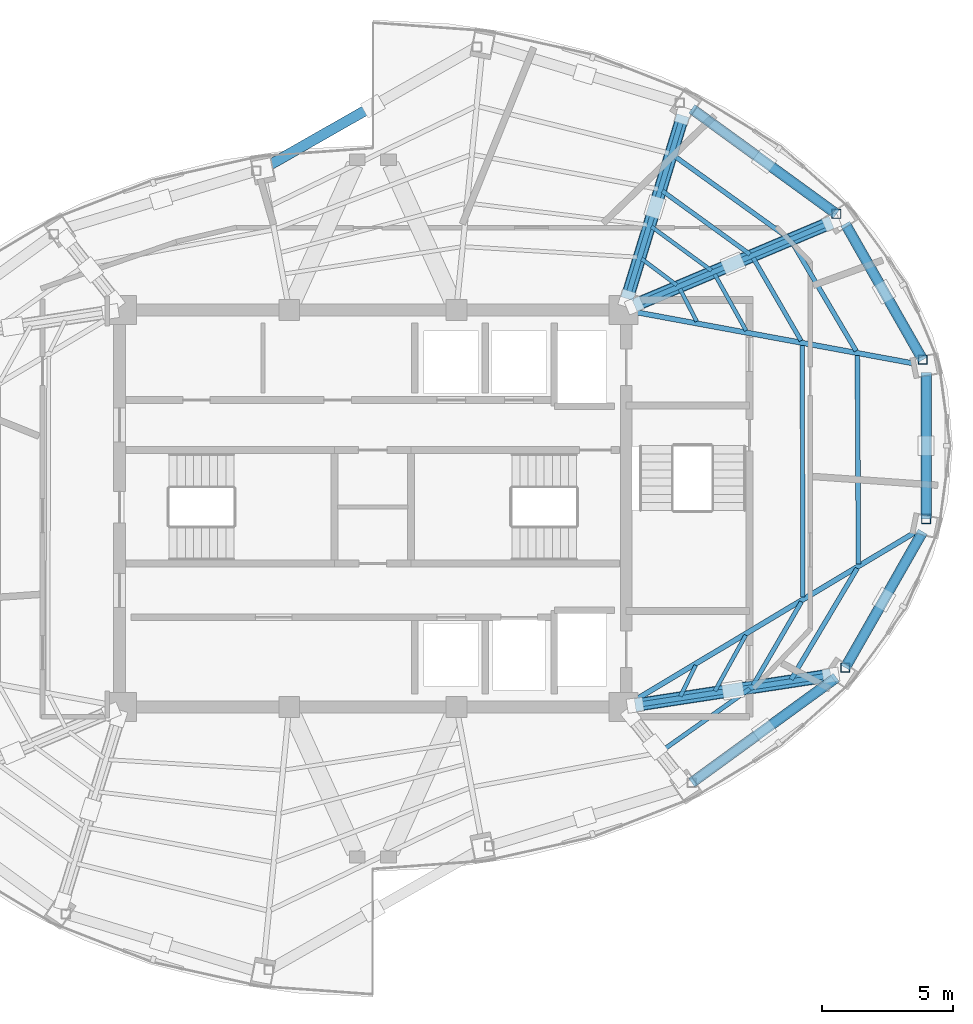
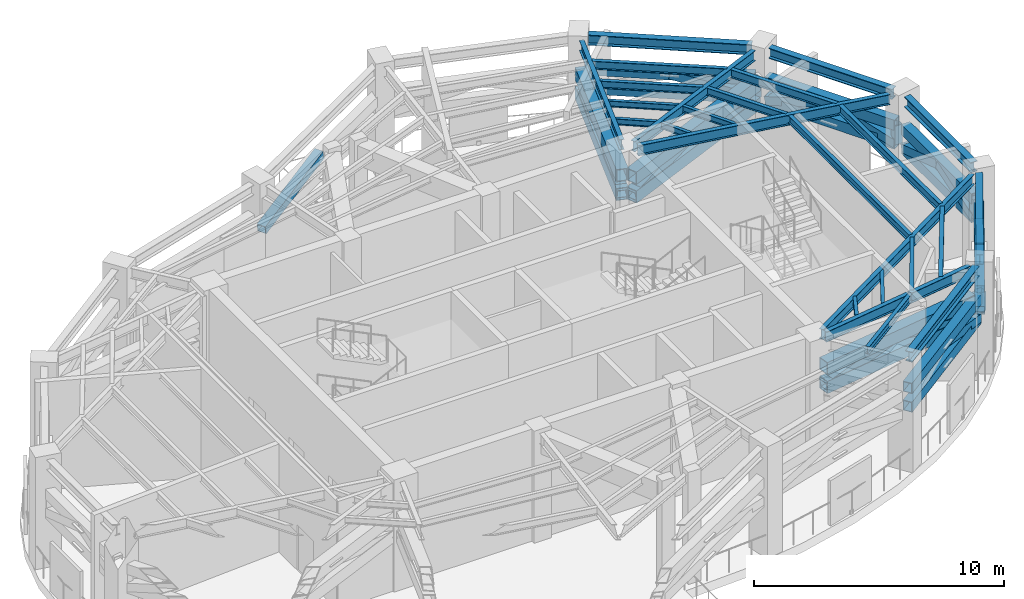
# One storey, part 4 of 12: 35 members, 25 beams.
"""IFC4 building model written with IfcOpenShell, lengths in metres."""

from ifc_helpers import new_model, si_unit, direction, frame, origin, origin_2d, place, context, subcontext, project, spatial, hollow_rectangle, i_section, extrude, material, material_profile, profile_set, type_object, element, save


model = new_model("IFC4")

# Units and contexts
model_context = context("Model", 3, precision=1e-05, world=origin(), true_north=direction((0.0, 1.0)))
body_context = subcontext(model_context, "Body", "Model", "MODEL_VIEW")
ifc_project = project(units=[si_unit("LENGTHUNIT", "METRE"), si_unit("AREAUNIT", "SQUARE_METRE"), si_unit("VOLUMEUNIT", "CUBIC_METRE"), si_unit("PLANEANGLEUNIT", "RADIAN"), si_unit("MASSUNIT", "GRAM", prefix="KILO")], contexts=[model_context])

# Site, building, storey
site_placement = place(None, origin())
site = spatial("IfcSite", under=ifc_project, at=site_placement, CompositionType="ELEMENT")
building_placement = place(site_placement, origin())
building = spatial("IfcBuilding", under=site, at=building_placement, Name="Lazwardi Medical Tower", CompositionType="ELEMENT")
storey_placement = place(building_placement, frame((0.0, 0.0, 245.904052734375)))
storey = spatial("IfcBuildingStorey", under=building, at=storey_placement, Name="L64", CompositionType="ELEMENT", Elevation=245.904052734375)

# Beams
ifc_material_1 = material(Name="Steel S355", Category="steel")
ifc_material_profile_1 = material_profile(ifc_material_1, i_section(OverallWidth=0.300048828125, OverallDepth=0.5, WebThickness=0.014404296875, FlangeThickness=0.028076171875, at=origin_2d()), Name="HEB 500")
ifc_profile_set_1 = profile_set([ifc_material_profile_1], Name="Steel S355")
beam_type_1 = type_object("IfcBeamType", Name="BM-RB-Z4", PredefinedType="BEAM", material=ifc_profile_set_1)
beam_1_placement = place(storey_placement, frame((48.31591796875, 17.5751953125, 5.02197265625), z_axis=(0.808889916254, 0.587960120571, 0.0), x_axis=(-0.587960120571, 0.808889916254, 0.0)))
element("IfcBeam", 1, at=beam_1_placement, inside=storey, type_object=beam_type_1, Name="Ring beam RB-05 B02 L64", PredefinedType="BEAM", context=body_context, shape_type="SweptSolid", body=[
    extrude(i_section(OverallWidth=0.300048828125, OverallDepth=0.5, WebThickness=0.014404296875, FlangeThickness=0.028076171875, at=origin_2d()), origin(), (0.0, 0.0, 1.0), 6.587158203125),
])
beam_2_placement = place(storey_placement, frame((54.15283203125, 22.016357421875, 5.02197265625), z_axis=(0.495125273299, 0.868821594886, 0.0), x_axis=(-0.868821594886, 0.495125273299, 0.0)))
element("IfcBeam", 2, at=beam_2_placement, inside=storey, type_object=beam_type_1, Name="Ring beam RB-05 B03 L64", PredefinedType="BEAM", context=body_context, shape_type="SweptSolid", body=[
    extrude(i_section(OverallWidth=0.300048828125, OverallDepth=0.5, WebThickness=0.014404296875, FlangeThickness=0.028076171875, at=origin_2d()), origin(), (0.0, 0.0, 1.0), 5.734130859375),
])
beam_3_placement = place(storey_placement, frame((57.18505859375, 27.72705078125, 5.02197265625), z_axis=(0.0, 1.0, 0.0), x_axis=(-1.0, 0.0, 0.0)))
element("IfcBeam", 3, at=beam_3_placement, inside=storey, type_object=beam_type_1, Name="Ring beam RB-05 B04 L64", PredefinedType="BEAM", context=body_context, shape_type="SweptSolid", body=[
    extrude(i_section(OverallWidth=0.300048828125, OverallDepth=0.5, WebThickness=0.014404296875, FlangeThickness=0.028076171875, at=origin_2d()), origin(), (0.0, 0.0, 1.0), 5.345947265625),
])
beam_4_placement = place(storey_placement, frame((56.991943359375, 33.8017578125, 5.02197265625), z_axis=(-0.495125273299, 0.868821594886, 0.0), x_axis=(-0.868821594886, -0.495125273299, 0.0)))
element("IfcBeam", 4, at=beam_4_placement, inside=storey, type_object=beam_type_1, Name="Ring beam RB-05 B05 L64", PredefinedType="BEAM", context=body_context, shape_type="SweptSolid", body=[
    extrude(i_section(OverallWidth=0.300048828125, OverallDepth=0.5, WebThickness=0.014404296875, FlangeThickness=0.028076171875, at=origin_2d()), origin(), (0.0, 0.0, 1.0), 5.734130859375),
])
beam_5_placement = place(storey_placement, frame((53.644287109375, 39.351806640625, 5.02197265625), z_axis=(-0.808889916254, 0.587960120571, 0.0), x_axis=(-0.587960120571, -0.808889916254, 0.0)))
element("IfcBeam", 5, at=beam_5_placement, inside=storey, type_object=beam_type_1, Name="Ring beam RB-05 B06 L64", PredefinedType="BEAM", context=body_context, shape_type="SweptSolid", body=[
    extrude(i_section(OverallWidth=0.300048828125, OverallDepth=0.5, WebThickness=0.014404296875, FlangeThickness=0.028076171875, at=origin_2d()), origin(), (0.0, 0.0, 1.0), 6.587158203125),
])
ifc_material_profile_2 = material_profile(ifc_material_1, i_section(OverallWidth=0.199951171875, OverallDepth=0.5, WebThickness=0.01025390625, FlangeThickness=0.01611328125, at=origin_2d()), Name="IPE 500")
ifc_profile_set_2 = profile_set([ifc_material_profile_2], Name="Steel S355")
beam_type_2 = type_object("IfcBeamType", Name="BM-RG-W3", PredefinedType="BEAM", material=ifc_profile_set_2)
beam_6_placement = place(storey_placement, frame((53.430908203125, 21.5966796875, 5.02197265625), z_axis=(-0.988522137285, -0.151076087115, 0.0), x_axis=(0.151076087115, -0.988522137285, 0.0)))
element("IfcBeam", 6, at=beam_6_placement, inside=storey, type_object=beam_type_2, Name="Radial girder RG-04 R03 L64", PredefinedType="BEAM", context=body_context, shape_type="SweptSolid", body=[
    extrude(i_section(OverallWidth=0.199951171875, OverallDepth=0.5, WebThickness=0.01025390625, FlangeThickness=0.01611328125, at=origin_2d()), origin(), (0.0, 0.0, 1.0), 7.38671875),
])
beam_7_placement = place(storey_placement, frame((56.72607421875, 27.062255859375, 5.02197265625), z_axis=(-0.857944804603, -0.513741873176, 0.0), x_axis=(0.513741873176, -0.857944804603, 0.0)))
element("IfcBeam", 7, at=beam_7_placement, inside=storey, type_object=beam_type_2, Name="Radial girder RG-04 R04 L64", PredefinedType="BEAM", context=body_context, shape_type="SweptSolid", body=[
    extrude(i_section(OverallWidth=0.199951171875, OverallDepth=0.5, WebThickness=0.01025390625, FlangeThickness=0.01611328125, at=origin_2d()), origin(), (0.0, 0.0, 1.0), 12.43310546875),
])
beam_8_placement = place(storey_placement, frame((56.658935546875, 33.56005859375, 5.02197265625), z_axis=(-0.983409341459, 0.181400295288, 0.0), x_axis=(-0.181400295288, -0.983409341459, 0.0)))
element("IfcBeam", 8, at=beam_8_placement, inside=storey, type_object=beam_type_2, Name="Radial girder RG-04 R05 L64", PredefinedType="BEAM", context=body_context, shape_type="SweptSolid", body=[
    extrude(i_section(OverallWidth=0.199951171875, OverallDepth=0.5, WebThickness=0.01025390625, FlangeThickness=0.01611328125, at=origin_2d()), origin(), (0.0, 0.0, 1.0), 10.71044921875),
])
beam_9_placement = place(storey_placement, frame((53.466796875, 38.914794921875, 5.02197265625), z_axis=(-0.921526791352, -0.388314785735, 0.0), x_axis=(0.388314785735, -0.921526791352, 0.0)))
element("IfcBeam", 9, at=beam_9_placement, inside=storey, type_object=beam_type_2, Name="Radial girder RG-04 R06 L64", PredefinedType="BEAM", context=body_context, shape_type="SweptSolid", body=[
    extrude(i_section(OverallWidth=0.199951171875, OverallDepth=0.5, WebThickness=0.01025390625, FlangeThickness=0.01611328125, at=origin_2d()), origin(), (0.0, 0.0, 1.0), 8.001708984375),
])
beam_10_placement = place(storey_placement, frame((47.843994140625, 42.9423828125, 5.02197265625), z_axis=(-0.292276716539, -0.956333791607, 0.0), x_axis=(0.956333791607, -0.292276716539, 0.0)))
element("IfcBeam", 10, at=beam_10_placement, inside=storey, type_object=beam_type_2, Name="Radial girder RG-04 R07 L64", PredefinedType="BEAM", context=body_context, shape_type="SweptSolid", body=[
    extrude(i_section(OverallWidth=0.199951171875, OverallDepth=0.5, WebThickness=0.01025390625, FlangeThickness=0.01611328125, at=origin_2d()), origin(), (0.0, 0.0, 1.0), 7.142822265625),
])
ifc_material_profile_3 = material_profile(ifc_material_1, i_section(OverallWidth=0.179931640625, OverallDepth=0.39990234375, WebThickness=0.008544921875, FlangeThickness=0.013427734375, at=origin_2d()), Name="IPE 400")
ifc_profile_set_3 = profile_set([ifc_material_profile_3], Name="Steel S355")
beam_type_3 = type_object("IfcBeamType", Name="BM-SJ-01", PredefinedType="JOIST", material=ifc_profile_set_3)
beam_11_placement = place(storey_placement, frame((52.01904296875, 21.455078125, 5.072021484375), z_axis=(0.510967866251, 0.859599813668, 0.0), x_axis=(-0.859599813668, 0.510967866251, 0.0)))
element("IfcBeam", 11, at=beam_11_placement, inside=storey, type_object=beam_type_3, Name="Secondary joist SJ-01 R1 B03 L64", PredefinedType="JOIST", context=body_context, shape_type="SweptSolid", body=[
    extrude(i_section(OverallWidth=0.179931640625, OverallDepth=0.39990234375, WebThickness=0.008544921875, FlangeThickness=0.013427734375, at=origin_2d()), origin(), (0.0, 0.0, 1.0), 4.94189453125),
])
beam_12_placement = place(storey_placement, frame((54.592041015625, 25.879638671875, 5.072021484375), z_axis=(-0.004929366644, 0.999987850598, 0.0), x_axis=(-0.999987850598, -0.004929366644, 0.0)))
element("IfcBeam", 12, at=beam_12_placement, inside=storey, type_object=beam_type_3, Name="Secondary joist SJ-01 R1 B04 L64", PredefinedType="JOIST", context=body_context, shape_type="SweptSolid", body=[
    extrude(i_section(OverallWidth=0.179931640625, OverallDepth=0.39990234375, WebThickness=0.008544921875, FlangeThickness=0.013427734375, at=origin_2d()), origin(), (0.0, 0.0, 1.0), 7.973876953125),
])
beam_13_placement = place(storey_placement, frame((54.504150390625, 34.030517578125, 5.072021484375), z_axis=(-0.507710311367, 0.861527851977, 0.0), x_axis=(-0.861527851977, -0.507710311367, 0.0)))
element("IfcBeam", 13, at=beam_13_placement, inside=storey, type_object=beam_type_3, Name="Secondary joist SJ-01 R1 B05 L64", PredefinedType="JOIST", context=body_context, shape_type="SweptSolid", body=[
    extrude(i_section(OverallWidth=0.179931640625, OverallDepth=0.39990234375, WebThickness=0.008544921875, FlangeThickness=0.013427734375, at=origin_2d()), origin(), (0.0, 0.0, 1.0), 4.852783203125),
])
beam_14_placement = place(storey_placement, frame((51.914794921875, 38.348876953125, 5.072021484375), z_axis=(-0.811889581337, 0.58381102055, 0.0), x_axis=(-0.58381102055, -0.811889581337, 0.0)))
element("IfcBeam", 14, at=beam_14_placement, inside=storey, type_object=beam_type_3, Name="Secondary joist SJ-01 R1 B06 L64", PredefinedType="JOIST", context=body_context, shape_type="SweptSolid", body=[
    extrude(i_section(OverallWidth=0.179931640625, OverallDepth=0.39990234375, WebThickness=0.008544921875, FlangeThickness=0.013427734375, at=origin_2d()), origin(), (0.0, 0.0, 1.0), 5.433349609375),
])
ifc_material_profile_4 = material_profile(ifc_material_1, i_section(OverallWidth=0.169921875, OverallDepth=0.360107421875, WebThickness=0.008056640625, FlangeThickness=0.0126953125, at=origin_2d()), Name="IPE 360")
ifc_profile_set_4 = profile_set([ifc_material_profile_4], Name="Steel S355")
beam_type_4 = type_object("IfcBeamType", Name="BM-SJ-02", PredefinedType="JOIST", material=ifc_profile_set_4)
beam_15_placement = place(storey_placement, frame((47.051513671875, 18.70654296875, 5.092041015625), z_axis=(0.816711190406, 0.577046645832, 0.0), x_axis=(-0.577046645832, 0.816711190406, 0.0)))
element("IfcBeam", 15, at=beam_15_placement, inside=storey, type_object=beam_type_4, Name="Secondary joist SJ-02 R2 B02 L64", PredefinedType="JOIST", context=body_context, shape_type="SweptSolid", body=[
    extrude(i_section(OverallWidth=0.169921875, OverallDepth=0.360107421875, WebThickness=0.008056640625, FlangeThickness=0.0126953125, at=origin_2d()), origin(), (0.0, 0.0, 1.0), 4.139892578125),
])
beam_16_placement = place(storey_placement, frame((50.5576171875, 21.232421875, 5.092041015625), z_axis=(0.50218018565, 0.864763008657, 0.0), x_axis=(-0.864763008657, 0.50218018565, 0.0)))
element("IfcBeam", 16, at=beam_16_placement, inside=storey, type_object=beam_type_4, Name="Secondary joist SJ-02 R2 B03 L64", PredefinedType="JOIST", context=body_context, shape_type="SweptSolid", body=[
    extrude(i_section(OverallWidth=0.169921875, OverallDepth=0.360107421875, WebThickness=0.008056640625, FlangeThickness=0.0126953125, at=origin_2d()), origin(), (0.0, 0.0, 1.0), 3.69189453125),
])
beam_17_placement = place(storey_placement, frame((52.458984375, 24.602294921875, 5.092041015625), z_axis=(-0.001367606673, 0.999999064826, 0.0), x_axis=(-0.999999064826, -0.001367606673, 0.0)))
element("IfcBeam", 17, at=beam_17_placement, inside=storey, type_object=beam_type_4, Name="Secondary joist SJ-02 R2 B04 L64", PredefinedType="JOIST", context=body_context, shape_type="SweptSolid", body=[
    extrude(i_section(OverallWidth=0.169921875, OverallDepth=0.360107421875, WebThickness=0.008056640625, FlangeThickness=0.0126953125, at=origin_2d()), origin(), (0.0, 0.0, 1.0), 9.639892578125),
])
beam_18_placement = place(storey_placement, frame((52.398193359375, 34.41943359375, 5.092041015625), z_axis=(-0.500655179543, 0.865646805109, 0.0), x_axis=(-0.865646805109, -0.500655179543, 0.0)))
element("IfcBeam", 18, at=beam_18_placement, inside=storey, type_object=beam_type_4, Name="Secondary joist SJ-02 R2 B05 L64", PredefinedType="JOIST", context=body_context, shape_type="SweptSolid", body=[
    extrude(i_section(OverallWidth=0.169921875, OverallDepth=0.360107421875, WebThickness=0.008056640625, FlangeThickness=0.0126953125, at=origin_2d()), origin(), (0.0, 0.0, 1.0), 3.662109375),
])
beam_19_placement = place(storey_placement, frame((50.440185546875, 37.7275390625, 5.092041015625), z_axis=(-0.810164229155, 0.586202969796, 0.0), x_axis=(-0.586202969796, -0.810164229155, 0.0)))
element("IfcBeam", 19, at=beam_19_placement, inside=storey, type_object=beam_type_4, Name="Secondary joist SJ-02 R2 B06 L64", PredefinedType="JOIST", context=body_context, shape_type="SweptSolid", body=[
    extrude(i_section(OverallWidth=0.169921875, OverallDepth=0.360107421875, WebThickness=0.008056640625, FlangeThickness=0.0126953125, at=origin_2d()), origin(), (0.0, 0.0, 1.0), 4.14013671875),
])
ifc_material_profile_5 = material_profile(ifc_material_1, i_section(OverallWidth=0.14990234375, OverallDepth=0.300048828125, WebThickness=0.007080078125, FlangeThickness=0.0107421875, at=origin_2d()), Name="IPE 300")
ifc_profile_set_5 = profile_set([ifc_material_profile_5], Name="Steel S355")
beam_type_5 = type_object("IfcBeamType", Name="BM-SJ-03", PredefinedType="JOIST", material=ifc_profile_set_5)
beam_20_placement = place(storey_placement, frame((49.095703125, 21.01025390625, 5.121826171875), z_axis=(0.484751625998, 0.874651851363, 0.0), x_axis=(-0.874651851363, 0.484751625998, 0.0)))
element("IfcBeam", 20, at=beam_20_placement, inside=storey, type_object=beam_type_5, Name="Secondary joist SJ-03 R3 B03 L64", PredefinedType="JOIST", context=body_context, shape_type="SweptSolid", body=[
    extrude(i_section(OverallWidth=0.14990234375, OverallDepth=0.300048828125, WebThickness=0.007080078125, FlangeThickness=0.0107421875, at=origin_2d()), origin(), (0.0, 0.0, 1.0), 2.442626953125),
])
beam_21_placement = place(storey_placement, frame((50.29296875, 34.80859375, 5.121826171875), z_axis=(-0.487092942089, 0.873350139272, 0.0), x_axis=(-0.873350139272, -0.487092942089, 0.0)))
element("IfcBeam", 21, at=beam_21_placement, inside=storey, type_object=beam_type_5, Name="Secondary joist SJ-03 R3 B05 L64", PredefinedType="JOIST", context=body_context, shape_type="SweptSolid", body=[
    extrude(i_section(OverallWidth=0.14990234375, OverallDepth=0.300048828125, WebThickness=0.007080078125, FlangeThickness=0.0107421875, at=origin_2d()), origin(), (0.0, 0.0, 1.0), 2.471923828125),
])
beam_22_placement = place(storey_placement, frame((48.9658203125, 37.106689453125, 5.121826171875), z_axis=(-0.80703431267, 0.59050454543, 0.0), x_axis=(-0.59050454543, -0.80703431267, 0.0)))
element("IfcBeam", 22, at=beam_22_placement, inside=storey, type_object=beam_type_5, Name="Secondary joist SJ-03 R3 B06 L64", PredefinedType="JOIST", context=body_context, shape_type="SweptSolid", body=[
    extrude(i_section(OverallWidth=0.14990234375, OverallDepth=0.300048828125, WebThickness=0.007080078125, FlangeThickness=0.0107421875, at=origin_2d()), origin(), (0.0, 0.0, 1.0), 2.846923828125),
])
beam_23_placement = place(storey_placement, frame((47.777587890625, 20.811279296875, 5.121826171875), z_axis=(0.443587297772, 0.89623116954, 0.0), x_axis=(-0.89623116954, 0.443587297772, 0.0)))
element("IfcBeam", 23, at=beam_23_placement, inside=storey, type_object=beam_type_5, Name="Secondary joist SJ-03 R4 B03 L64", PredefinedType="JOIST", context=body_context, shape_type="SweptSolid", body=[
    extrude(i_section(OverallWidth=0.14990234375, OverallDepth=0.300048828125, WebThickness=0.007080078125, FlangeThickness=0.0107421875, at=origin_2d()), origin(), (0.0, 0.0, 1.0), 1.32080078125),
])
beam_24_placement = place(storey_placement, frame((48.39990234375, 35.159912109375, 5.121826171875), z_axis=(-0.457285056668, 0.889320176848, 0.0), x_axis=(-0.889320176848, -0.457285056668, 0.0)))
element("IfcBeam", 24, at=beam_24_placement, inside=storey, type_object=beam_type_5, Name="Secondary joist SJ-03 R4 B05 L64", PredefinedType="JOIST", context=body_context, shape_type="SweptSolid", body=[
    extrude(i_section(OverallWidth=0.14990234375, OverallDepth=0.300048828125, WebThickness=0.007080078125, FlangeThickness=0.0107421875, at=origin_2d()), origin(), (0.0, 0.0, 1.0), 1.402099609375),
])
beam_25_placement = place(storey_placement, frame((47.63916015625, 36.548095703125, 5.121826171875), z_axis=(-0.800365301971, 0.599512621553, 0.0), x_axis=(-0.599512621553, -0.800365301971, 0.0)))
element("IfcBeam", 25, at=beam_25_placement, inside=storey, type_object=beam_type_5, Name="Secondary joist SJ-03 R4 B06 L64", PredefinedType="JOIST", context=body_context, shape_type="SweptSolid", body=[
    extrude(i_section(OverallWidth=0.14990234375, OverallDepth=0.300048828125, WebThickness=0.007080078125, FlangeThickness=0.0107421875, at=origin_2d()), origin(), (0.0, 0.0, 1.0), 1.68359375),
])

# Members
ifc_material_2 = material(Name="Steel S460", Category="steel")
ifc_material_profile_6 = material_profile(ifc_material_2, hollow_rectangle(XDim=0.39990234375, YDim=0.5, WallThickness=0.02490234375, at=origin_2d()), Name="RHS 500x400x25")
ifc_profile_set_6 = profile_set([ifc_material_profile_6], Name="Steel S460")
member_type_1 = type_object("IfcMemberType", Name="MEM-BC-01", PredefinedType="CHORD", material=ifc_profile_set_6)
for number, where, z_axis, x_axis, name in (
    (26, (48.210693359375, 17.498779296875, 2.679931640625), (0.808899486782, 0.587946953631, 0.0), (-0.587946953631, 0.808899486782, 0.0), "Belt truss bottom chord BC-01 B02 L64"),
    (27, (48.210693359375, 17.498779296875, 3.599853515625), (0.808899486782, 0.587946953631, 0.0), (-0.587946953631, 0.808899486782, 0.0), "Belt truss top chord BC-01 B02 L64"),
):
    element("IfcMember", number, at=place(storey_placement, frame(where, z_axis=z_axis, x_axis=x_axis)), inside=storey, type_object=member_type_1, Name=name, PredefinedType="CHORD", context=body_context, shape_type="SweptSolid", body=[
        extrude(hollow_rectangle(XDim=0.39990234375, YDim=0.5, WallThickness=0.02490234375, at=origin_2d()), origin(), (0.0, 0.0, 1.0), 6.847412109375),
    ])
for number, where, z_axis, x_axis, name in (
    (28, (54.08837890625, 21.9033203125, 2.679931640625), (0.495151704402, 0.868806531759, 0.0), (-0.868806531759, 0.495151704402, 0.0), "Belt truss bottom chord BC-01 B03 L64"),
    (29, (54.08837890625, 21.9033203125, 3.599853515625), (0.495151704402, 0.868806531759, 0.0), (-0.868806531759, 0.495151704402, 0.0), "Belt truss top chord BC-01 B03 L64"),
):
    element("IfcMember", number, at=place(storey_placement, frame(where, z_axis=z_axis, x_axis=x_axis)), inside=storey, type_object=member_type_1, Name=name, PredefinedType="CHORD", context=body_context, shape_type="SweptSolid", body=[
        extrude(hollow_rectangle(XDim=0.39990234375, YDim=0.5, WallThickness=0.02490234375, at=origin_2d()), origin(), (0.0, 0.0, 1.0), 5.994140625),
    ])
for number, where, z_axis, x_axis, name in (
    (30, (57.18505859375, 27.59716796875, 2.679931640625), (0.0, 1.0, 0.0), (-1.0, 0.0, 0.0), "Belt truss bottom chord BC-01 B04 L64"),
    (31, (57.18505859375, 27.59716796875, 3.599853515625), (0.0, 1.0, 0.0), (-1.0, 0.0, 0.0), "Belt truss top chord BC-01 B04 L64"),
):
    element("IfcMember", number, at=place(storey_placement, frame(where, z_axis=z_axis, x_axis=x_axis)), inside=storey, type_object=member_type_1, Name=name, PredefinedType="CHORD", context=body_context, shape_type="SweptSolid", body=[
        extrude(hollow_rectangle(XDim=0.39990234375, YDim=0.5, WallThickness=0.02490234375, at=origin_2d()), origin(), (0.0, 0.0, 1.0), 5.605712890625),
    ])
for number, where, z_axis, x_axis, name in (
    (32, (57.056396484375, 33.688720703125, 2.679931640625), (-0.495151704402, 0.868806531759, 0.0), (-0.868806531759, -0.495151704402, 0.0), "Belt truss bottom chord BC-01 B05 L64"),
    (33, (57.056396484375, 33.688720703125, 3.599853515625), (-0.495151704402, 0.868806531759, 0.0), (-0.868806531759, -0.495151704402, 0.0), "Belt truss top chord BC-01 B05 L64"),
):
    element("IfcMember", number, at=place(storey_placement, frame(where, z_axis=z_axis, x_axis=x_axis)), inside=storey, type_object=member_type_1, Name=name, PredefinedType="CHORD", context=body_context, shape_type="SweptSolid", body=[
        extrude(hollow_rectangle(XDim=0.39990234375, YDim=0.5, WallThickness=0.02490234375, at=origin_2d()), origin(), (0.0, 0.0, 1.0), 5.994140625),
    ])
for number, where, z_axis, x_axis, name in (
    (34, (53.74951171875, 39.275390625, 2.679931640625), (-0.808899486782, 0.587946953631, 0.0), (-0.587946953631, -0.808899486782, 0.0), "Belt truss bottom chord BC-01 B06 L64"),
    (35, (53.74951171875, 39.275390625, 3.599853515625), (-0.808899486782, 0.587946953631, 0.0), (-0.587946953631, -0.808899486782, 0.0), "Belt truss top chord BC-01 B06 L64"),
):
    element("IfcMember", number, at=place(storey_placement, frame(where, z_axis=z_axis, x_axis=x_axis)), inside=storey, type_object=member_type_1, Name=name, PredefinedType="CHORD", context=body_context, shape_type="SweptSolid", body=[
        extrude(hollow_rectangle(XDim=0.39990234375, YDim=0.5, WallThickness=0.02490234375, at=origin_2d()), origin(), (0.0, 0.0, 1.0), 6.847412109375),
    ])
ifc_material_profile_7 = material_profile(ifc_material_2, hollow_rectangle(XDim=0.39990234375, YDim=0.39990234375, WallThickness=0.02001953125, at=origin_2d()), Name="RHS 400x400x20")
ifc_profile_set_7 = profile_set([ifc_material_profile_7], Name="Steel S460")
member_type_2 = type_object("IfcMemberType", Name="MEM-BD-01", PredefinedType="BRACE", material=ifc_profile_set_7)
member_1_placement = place(storey_placement, frame((53.74951171875, 21.524658203125, 2.679931640625), z_axis=(-0.781204627176, -0.567791973825, 0.259483342313), x_axis=(0.587929996945, -0.808911811443, 0.0)))
element("IfcMember", 36, at=member_1_placement, inside=storey, type_object=member_type_2, Name="Belt truss diagonal BD-01 B02B L64", PredefinedType="BRACE", context=body_context, shape_type="SweptSolid", body=[
    extrude(hollow_rectangle(XDim=0.39990234375, YDim=0.39990234375, WallThickness=0.02001953125, at=origin_2d()), origin(), (0.0, 0.0, 1.0), 3.545166015625),
])
member_2_placement = place(storey_placement, frame((54.08837890625, 21.9033203125, 2.679931640625), z_axis=(0.473370561618, 0.830559369998, 0.293413435791), x_axis=(-0.868798996427, 0.495164925865, 0.0)))
element("IfcMember", 37, at=member_2_placement, inside=storey, type_object=member_type_2, Name="Belt truss diagonal BD-01 B03A L64", PredefinedType="BRACE", context=body_context, shape_type="SweptSolid", body=[
    extrude(hollow_rectangle(XDim=0.39990234375, YDim=0.39990234375, WallThickness=0.02001953125, at=origin_2d()), origin(), (0.0, 0.0, 1.0), 3.13525390625),
])
member_3_placement = place(storey_placement, frame((57.056396484375, 27.111083984375, 2.679931640625), z_axis=(-0.473340752872, -0.830565832409, 0.293443230803), x_axis=(0.868814067728, -0.495138481355, 0.0)))
element("IfcMember", 38, at=member_3_placement, inside=storey, type_object=member_type_2, Name="Belt truss diagonal BD-01 B03B L64", PredefinedType="BRACE", context=body_context, shape_type="SweptSolid", body=[
    extrude(hollow_rectangle(XDim=0.39990234375, YDim=0.39990234375, WallThickness=0.02001953125, at=origin_2d()), origin(), (0.0, 0.0, 1.0), 3.135009765625),
])
member_4_placement = place(storey_placement, frame((57.18505859375, 27.59716796875, 2.679931640625), z_axis=(0.0, 0.950129878455, 0.311854475786), x_axis=(-1.0, 0.0, 0.0)))
element("IfcMember", 39, at=member_4_placement, inside=storey, type_object=member_type_2, Name="Belt truss diagonal BD-01 B04A L64", PredefinedType="BRACE", context=body_context, shape_type="SweptSolid", body=[
    extrude(hollow_rectangle(XDim=0.39990234375, YDim=0.39990234375, WallThickness=0.02001953125, at=origin_2d()), origin(), (0.0, 0.0, 1.0), 2.949951171875),
])
member_5_placement = place(storey_placement, frame((57.18505859375, 33.202880859375, 2.679931640625), z_axis=(0.0, -0.950137926563, 0.311829954472), x_axis=(1.0, 0.0, 0.0)))
element("IfcMember", 40, at=member_5_placement, inside=storey, type_object=member_type_2, Name="Belt truss diagonal BD-01 B04B L64", PredefinedType="BRACE", context=body_context, shape_type="SweptSolid", body=[
    extrude(hollow_rectangle(XDim=0.39990234375, YDim=0.39990234375, WallThickness=0.02001953125, at=origin_2d()), origin(), (0.0, 0.0, 1.0), 2.9501953125),
])
for number, where, z_axis, x_axis, name in (
    (41, (57.056396484375, 33.688720703125, 2.679931640625), (-0.473310137511, 0.830589984649, 0.293424251093), (-0.868834037506, -0.495103438961, 0.0), "Belt truss diagonal BD-01 B05A L64"),
    (42, (54.08837890625, 38.896484375, 2.679931640625), (0.47340117863, -0.830535214688, 0.293432413403), (0.868779022494, 0.495199969784, 0.0), "Belt truss diagonal BD-01 B05B L64"),
):
    element("IfcMember", number, at=place(storey_placement, frame(where, z_axis=z_axis, x_axis=x_axis)), inside=storey, type_object=member_type_2, Name=name, PredefinedType="BRACE", context=body_context, shape_type="SweptSolid", body=[
        extrude(hollow_rectangle(XDim=0.39990234375, YDim=0.39990234375, WallThickness=0.02001953125, at=origin_2d()), origin(), (0.0, 0.0, 1.0), 3.135009765625),
    ])
member_6_placement = place(storey_placement, frame((53.74951171875, 39.275390625, 2.679931640625), z_axis=(-0.781204627176, 0.567791973825, 0.259483342313), x_axis=(-0.587929996945, -0.808911811443, 0.0)))
element("IfcMember", 43, at=member_6_placement, inside=storey, type_object=member_type_2, Name="Belt truss diagonal BD-01 B06A L64", PredefinedType="BRACE", context=body_context, shape_type="SweptSolid", body=[
    extrude(hollow_rectangle(XDim=0.39990234375, YDim=0.39990234375, WallThickness=0.02001953125, at=origin_2d()), origin(), (0.0, 0.0, 1.0), 3.545166015625),
])
member_7_placement = place(storey_placement, frame((32.011962890625, 41.126953125, 2.679931640625), z_axis=(0.852011877275, 0.485232108619, 0.196533869212), x_axis=(-0.494883809578, 0.868959156127, 0.0)))
element("IfcMember", 44, at=member_7_placement, inside=storey, type_object=member_type_2, Name="Belt truss diagonal BD-01 B08B L64", PredefinedType="BRACE", context=body_context, shape_type="SweptSolid", body=[
    extrude(hollow_rectangle(XDim=0.39990234375, YDim=0.39990234375, WallThickness=0.02001953125, at=origin_2d()), origin(), (0.0, 0.0, 1.0), 4.6806640625),
])
ifc_material_profile_8 = material_profile(ifc_material_1, hollow_rectangle(XDim=0.35009765625, YDim=0.35009765625, WallThickness=0.01611328125, at=origin_2d()), Name="RHS 350x350x16")
ifc_profile_set_8 = profile_set([ifc_material_profile_8], Name="Steel S355")
member_type_3 = type_object("IfcMemberType", Name="MEM-BV-01", PredefinedType="POST", material=ifc_profile_set_8)
for number, where, z_axis, x_axis, name in (
    (45, (54.08837890625, 21.9033203125, 2.679931640625), (0.0, 0.0, 1.0), (1.0, 0.0, 0.0), "Belt truss post BV-01 B03 L64"),
    (46, (57.18505859375, 27.59716796875, 2.679931640625), (0.0, 0.0, 1.0), (1.0, 0.0, 0.0), "Belt truss post BV-01 B04 L64"),
    (47, (57.056396484375, 33.688720703125, 2.679931640625), (0.0, 0.0, 1.0), (1.0, 0.0, 0.0), "Belt truss post BV-01 B05 L64"),
    (48, (53.74951171875, 39.275390625, 2.679931640625), (0.0, 0.0, 1.0), (1.0, 0.0, 0.0), "Belt truss post BV-01 B06 L64"),
):
    element("IfcMember", number, at=place(storey_placement, frame(where, z_axis=z_axis, x_axis=x_axis)), inside=storey, type_object=member_type_3, Name=name, PredefinedType="POST", context=body_context, shape_type="SweptSolid", body=[
        extrude(hollow_rectangle(XDim=0.35009765625, YDim=0.35009765625, WallThickness=0.01611328125, at=origin_2d()), origin(), (0.0, 0.0, 1.0), 0.919921875),
    ])
ifc_material_profile_9 = material_profile(ifc_material_2, hollow_rectangle(XDim=0.5, YDim=0.60009765625, WallThickness=0.030029296875, at=origin_2d()), Name="RHS 600x500x30")
ifc_profile_set_9 = profile_set([ifc_material_profile_9], Name="Steel S460")
member_type_4 = type_object("IfcMemberType", Name="MEM-OC-01", PredefinedType="CHORD", material=ifc_profile_set_9)
for number, where, z_axis, x_axis, name in (
    (49, (46.044921875, 20.468017578125, 2.679931640625), (0.988524670588, 0.151059510259, 0.0), (-0.151059510259, 0.988524670588, 0.0), "Outrigger truss bottom chord OC-01 OR4 L64"),
    (50, (46.044921875, 20.468017578125, 3.599853515625), (0.988524670588, 0.151059510259, 0.0), (-0.151059510259, 0.988524670588, 0.0), "Outrigger truss top chord OC-01 OR4 L64"),
):
    element("IfcMember", number, at=place(storey_placement, frame(where, z_axis=z_axis, x_axis=x_axis)), inside=storey, type_object=member_type_4, Name=name, PredefinedType="CHORD", context=body_context, shape_type="SweptSolid", body=[
        extrude(hollow_rectangle(XDim=0.5, YDim=0.60009765625, WallThickness=0.030029296875, at=origin_2d()), origin(), (0.0, 0.0, 1.0), 7.57666015625),
    ])
for number, where, z_axis, x_axis, name in (
    (51, (46.0146484375, 35.774658203125, 2.679931640625), (0.921528187193, 0.388311473187, 0.0), (-0.388311473187, 0.921528187193, 0.0), "Outrigger truss bottom chord OC-01 OR5 L64"),
    (52, (46.0146484375, 35.774658203125, 3.599853515625), (0.921528187193, 0.388311473187, 0.0), (-0.388311473187, 0.921528187193, 0.0), "Outrigger truss top chord OC-01 OR5 L64"),
):
    element("IfcMember", number, at=place(storey_placement, frame(where, z_axis=z_axis, x_axis=x_axis)), inside=storey, type_object=member_type_4, Name=name, PredefinedType="CHORD", context=body_context, shape_type="SweptSolid", body=[
        extrude(hollow_rectangle(XDim=0.5, YDim=0.60009765625, WallThickness=0.030029296875, at=origin_2d()), origin(), (0.0, 0.0, 1.0), 8.191650390625),
    ])
for number, where, z_axis, x_axis, name in (
    (53, (45.7314453125, 36.030517578125, 2.679931640625), (0.292265059212, 0.956337354266, 0.0), (-0.956337354266, 0.292265059212, 0.0), "Outrigger truss bottom chord OC-01 OR6 L64"),
    (54, (45.7314453125, 36.030517578125, 3.599853515625), (0.292265059212, 0.956337354266, 0.0), (-0.956337354266, 0.292265059212, 0.0), "Outrigger truss top chord OC-01 OR6 L64"),
):
    element("IfcMember", number, at=place(storey_placement, frame(where, z_axis=z_axis, x_axis=x_axis)), inside=storey, type_object=member_type_4, Name=name, PredefinedType="CHORD", context=body_context, shape_type="SweptSolid", body=[
        extrude(hollow_rectangle(XDim=0.5, YDim=0.60009765625, WallThickness=0.030029296875, at=origin_2d()), origin(), (0.0, 0.0, 1.0), 7.33251953125),
    ])
ifc_material_profile_10 = material_profile(ifc_material_2, hollow_rectangle(XDim=0.449951171875, YDim=0.449951171875, WallThickness=0.02197265625, at=origin_2d()), Name="RHS 450x450x22")
ifc_profile_set_10 = profile_set([ifc_material_profile_10], Name="Steel S460")
member_type_5 = type_object("IfcMemberType", Name="MEM-OD-01", PredefinedType="BRACE", material=ifc_profile_set_10)
for number, where, z_axis, x_axis, name in (
    (55, (46.044921875, 20.468017578125, 2.679931640625), (0.960608610063, 0.146793570767, 0.235971917512), (-0.151059510259, 0.988524670588, 0.0), "Outrigger truss diagonal OD-01 OR4A L64"),
    (56, (53.53466796875, 21.612548828125, 2.679931640625), (-0.960608610063, -0.146793570767, 0.235971917512), (0.151059510259, -0.988524670588, 0.0), "Outrigger truss diagonal OD-01 OR4B L64"),
):
    element("IfcMember", number, at=place(storey_placement, frame(where, z_axis=z_axis, x_axis=x_axis)), inside=storey, type_object=member_type_5, Name=name, PredefinedType="BRACE", context=body_context, shape_type="SweptSolid", body=[
        extrude(hollow_rectangle(XDim=0.449951171875, YDim=0.449951171875, WallThickness=0.02197265625, at=origin_2d()), origin(), (0.0, 0.0, 1.0), 3.8984375),
    ])
member_8_placement = place(storey_placement, frame((46.0146484375, 35.774658203125, 2.679931640625), z_axis=(0.899138725414, 0.378847972661, 0.21914325468), x_axis=(-0.388286163083, 0.921538851898, 0.0)))
element("IfcMember", 57, at=member_8_placement, inside=storey, type_object=member_type_5, Name="Outrigger truss diagonal OD-01 OR5A L64", PredefinedType="BRACE", context=body_context, shape_type="SweptSolid", body=[
    extrude(hollow_rectangle(XDim=0.449951171875, YDim=0.449951171875, WallThickness=0.02197265625, at=origin_2d()), origin(), (0.0, 0.0, 1.0), 4.19775390625),
])
member_9_placement = place(storey_placement, frame((53.5634765625, 38.95556640625, 2.679931640625), z_axis=(-0.899118913434, -0.378897782731, 0.219138425991), x_axis=(0.388336782412, -0.92151752204, 0.0)))
element("IfcMember", 58, at=member_9_placement, inside=storey, type_object=member_type_5, Name="Outrigger truss diagonal OD-01 OR5B L64", PredefinedType="BRACE", context=body_context, shape_type="SweptSolid", body=[
    extrude(hollow_rectangle(XDim=0.449951171875, YDim=0.449951171875, WallThickness=0.02197265625, at=origin_2d()), origin(), (0.0, 0.0, 1.0), 4.197998046875),
])
member_10_placement = place(storey_placement, frame((45.7314453125, 36.030517578125, 2.679931640625), z_axis=(0.28348628168, 0.927579514971, 0.243375782495), x_axis=(-0.956334510094, 0.292274365629, 0.0)))
element("IfcMember", 59, at=member_10_placement, inside=storey, type_object=member_type_5, Name="Outrigger truss diagonal OD-01 OR6A L64", PredefinedType="BRACE", context=body_context, shape_type="SweptSolid", body=[
    extrude(hollow_rectangle(XDim=0.449951171875, YDim=0.449951171875, WallThickness=0.02197265625, at=origin_2d()), origin(), (0.0, 0.0, 1.0), 3.77978515625),
])
member_11_placement = place(storey_placement, frame((47.87451171875, 43.04296875, 2.679931640625), z_axis=(-0.283469298236, -0.927588530707, 0.24336120204), x_axis=(0.956340198166, -0.29225575336, 0.0)))
element("IfcMember", 60, at=member_11_placement, inside=storey, type_object=member_type_5, Name="Outrigger truss diagonal OD-01 OR6B L64", PredefinedType="BRACE", context=body_context, shape_type="SweptSolid", body=[
    extrude(hollow_rectangle(XDim=0.449951171875, YDim=0.449951171875, WallThickness=0.02197265625, at=origin_2d()), origin(), (0.0, 0.0, 1.0), 3.780029296875),
])

save(model, "model.ifc")
